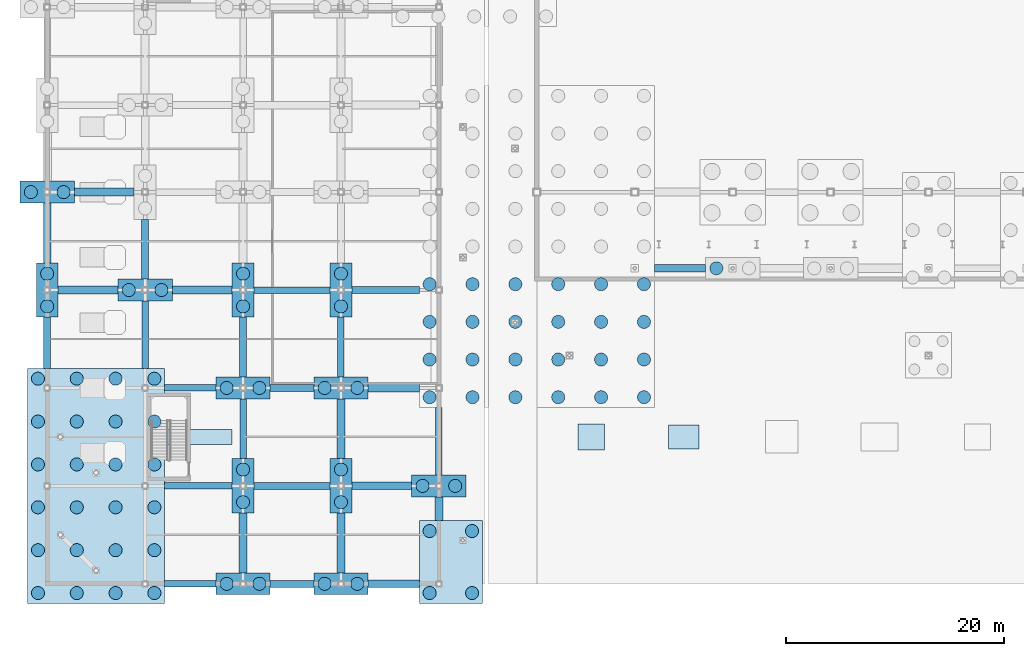
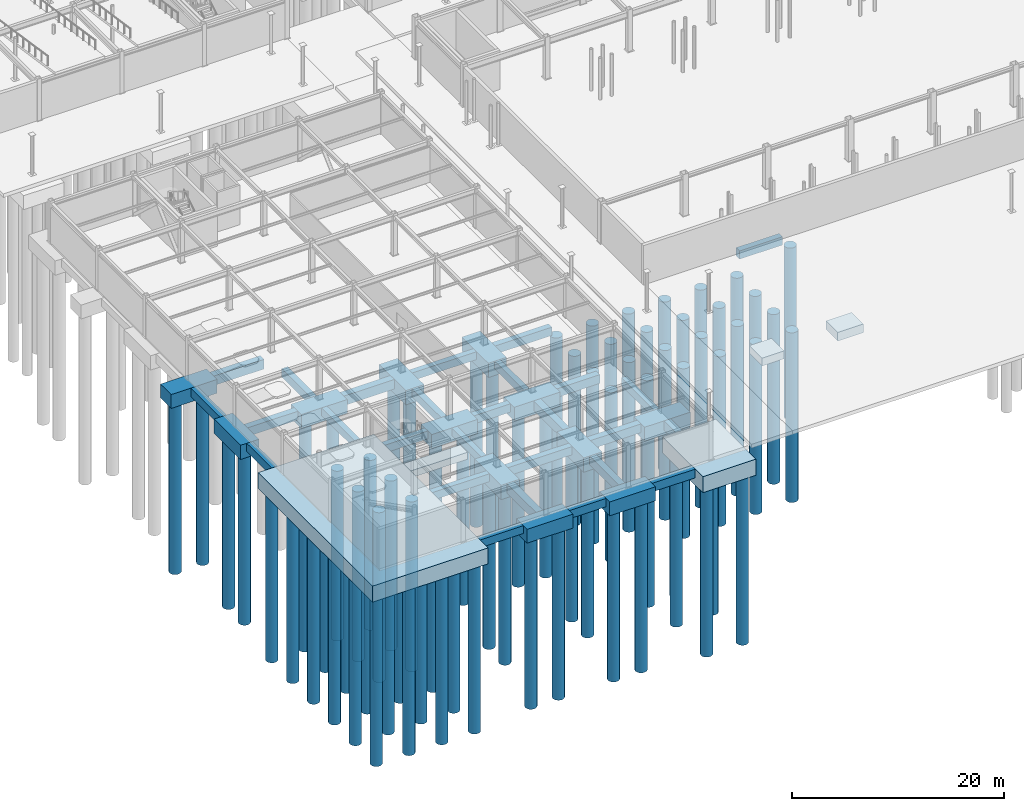
# One storey, part 1 of 74: 77 piles, 44 footings.
"""IFC4 building model written with IfcOpenShell, lengths in metres."""

from ifc_helpers import new_model, si_unit, direction, frame, origin, origin_2d, place, context, subcontext, project, spatial, polyline, rectangle, circle, outline, extrude, material, material_profile, profile_set, type_object, element, save


model = new_model("IFC4")

# Units and contexts
model_context = context("Model", 3, precision=1e-05, world=origin(), true_north=direction((0.0, 1.0)))
body_context = subcontext(model_context, "Body", "Model", "MODEL_VIEW")
ifc_project = project(units=[si_unit("LENGTHUNIT", "METRE"), si_unit("AREAUNIT", "SQUARE_METRE"), si_unit("VOLUMEUNIT", "CUBIC_METRE"), si_unit("PLANEANGLEUNIT", "RADIAN"), si_unit("MASSUNIT", "GRAM", prefix="KILO")], contexts=[model_context])

# Site, building, storey
site_placement = place(None, origin())
site = spatial("IfcSite", under=ifc_project, at=site_placement, CompositionType="ELEMENT")
building_placement = place(site_placement, origin())
building = spatial("IfcBuilding", under=site, at=building_placement, Name="Suzunagisa Mobility Hub", CompositionType="ELEMENT")
storey_placement = place(building_placement, frame((0.0, 0.0, -4.800048828125)))
storey = spatial("IfcBuildingStorey", under=building, at=storey_placement, Name="B1", CompositionType="ELEMENT", Elevation=-4.800048828125)

# Piles
ifc_material_1 = material(Name="Concrete C30/37", Category="concrete")
ifc_material_profile = material_profile(ifc_material_1, circle(Radius=0.60009765625, at=origin_2d()), Name="BORED PILE D1200")
ifc_profile_set = profile_set([ifc_material_profile], Name="Concrete C30/37")
pile_type = type_object("IfcPileType", Name="Bored Pile PL-01 D1200", PredefinedType="BORED", material=ifc_profile_set)
for number, where, z_axis, x_axis, name in (
    (1, (-0.85009765625, -0.85009765625, -2.119873046875), (0.0, 0.0, -1.0), (1.0, 0.0, 0.0), "Bored Pile 1.1"),
    (2, (-0.85009765625, 3.090087890625, -2.119873046875), (0.0, 0.0, -1.0), (1.0, 0.0, 0.0), "Bored Pile 1.2"),
    (3, (-0.85009765625, 7.030029296875, -2.119873046875), (0.0, 0.0, -1.0), (1.0, 0.0, 0.0), "Bored Pile 1.3"),
    (4, (-0.85009765625, 10.969970703125, -2.119873046875), (0.0, 0.0, -1.0), (1.0, 0.0, 0.0), "Bored Pile 1.4"),
    (5, (-0.85009765625, 14.909912109375, -2.119873046875), (0.0, 0.0, -1.0), (1.0, 0.0, 0.0), "Bored Pile 1.5"),
    (6, (-0.85009765625, 18.85009765625, -2.119873046875), (0.0, 0.0, -1.0), (1.0, 0.0, 0.0), "Bored Pile 1.6"),
    (7, (2.716796875, -0.85009765625, -2.119873046875), (0.0, 0.0, -1.0), (1.0, 0.0, 0.0), "Bored Pile 1.7"),
    (8, (2.716796875, 3.090087890625, -2.119873046875), (0.0, 0.0, -1.0), (1.0, 0.0, 0.0), "Bored Pile 1.8"),
    (9, (2.716796875, 7.030029296875, -2.119873046875), (0.0, 0.0, -1.0), (1.0, 0.0, 0.0), "Bored Pile 1.9"),
    (10, (2.716796875, 10.969970703125, -2.119873046875), (0.0, 0.0, -1.0), (1.0, 0.0, 0.0), "Bored Pile 1.10"),
    (11, (2.716796875, 14.909912109375, -2.119873046875), (0.0, 0.0, -1.0), (1.0, 0.0, 0.0), "Bored Pile 1.11"),
    (12, (2.716796875, 18.85009765625, -2.119873046875), (0.0, 0.0, -1.0), (1.0, 0.0, 0.0), "Bored Pile 1.12"),
    (13, (6.283203125, -0.85009765625, -2.119873046875), (0.0, 0.0, -1.0), (1.0, 0.0, 0.0), "Bored Pile 1.13"),
    (14, (6.283203125, 3.090087890625, -2.119873046875), (0.0, 0.0, -1.0), (1.0, 0.0, 0.0), "Bored Pile 1.14"),
    (15, (6.283203125, 7.030029296875, -2.119873046875), (0.0, 0.0, -1.0), (1.0, 0.0, 0.0), "Bored Pile 1.15"),
    (16, (6.283203125, 10.969970703125, -2.119873046875), (0.0, 0.0, -1.0), (1.0, 0.0, 0.0), "Bored Pile 1.16"),
    (17, (6.283203125, 14.909912109375, -2.119873046875), (0.0, 0.0, -1.0), (1.0, 0.0, 0.0), "Bored Pile 1.17"),
    (18, (6.283203125, 18.85009765625, -2.119873046875), (0.0, 0.0, -1.0), (1.0, 0.0, 0.0), "Bored Pile 1.18"),
    (19, (9.85009765625, -0.85009765625, -2.119873046875), (0.0, 0.0, -1.0), (1.0, 0.0, 0.0), "Bored Pile 1.19"),
    (20, (9.85009765625, 3.090087890625, -2.119873046875), (0.0, 0.0, -1.0), (1.0, 0.0, 0.0), "Bored Pile 1.20"),
    (21, (9.85009765625, 7.030029296875, -2.119873046875), (0.0, 0.0, -1.0), (1.0, 0.0, 0.0), "Bored Pile 1.21"),
    (22, (9.85009765625, 10.969970703125, -2.119873046875), (0.0, 0.0, -1.0), (1.0, 0.0, 0.0), "Bored Pile 1.22"),
    (23, (9.85009765625, 14.909912109375, -2.119873046875), (0.0, 0.0, -1.0), (1.0, 0.0, 0.0), "Bored Pile 1.23"),
    (24, (9.85009765625, 18.85009765625, -2.119873046875), (0.0, 0.0, -1.0), (1.0, 0.0, 0.0), "Bored Pile 1.24"),
):
    element("IfcPile", number, at=place(storey_placement, frame(where, z_axis=z_axis, x_axis=x_axis)), inside=storey, type_object=pile_type, Name=name, PredefinedType="BORED", context=body_context, shape_type="SweptSolid", body=[
        extrude(circle(Radius=0.60009765625, at=origin_2d()), origin(), (0.0, 0.0, 1.0), 19.580078125),
    ])
for number, where, z_axis, x_axis, name in (
    (25, (0.0, 25.5, -1.919921875), (0.0, 0.0, -1.0), (1.0, 0.0, 0.0), "Bored Pile 2.1"),
    (26, (0.0, 28.5, -1.919921875), (0.0, 0.0, -1.0), (1.0, 0.0, 0.0), "Bored Pile 2.2"),
):
    element("IfcPile", number, at=place(storey_placement, frame(where, z_axis=z_axis, x_axis=x_axis)), inside=storey, type_object=pile_type, Name=name, PredefinedType="BORED", context=body_context, shape_type="SweptSolid", body=[
        extrude(circle(Radius=0.60009765625, at=origin_2d()), origin(), (0.0, 0.0, 1.0), 19.780029296875),
    ])
for number, where, z_axis, x_axis, name in (
    (27, (-1.5, 36.0, -1.869873046875), (0.0, 0.0, -1.0), (1.0, 0.0, 0.0), "Bored Pile 3.1"),
    (28, (1.5, 36.0, -1.869873046875), (0.0, 0.0, -1.0), (1.0, 0.0, 0.0), "Bored Pile 3.2"),
    (29, (7.5, 27.0, -1.869873046875), (0.0, 0.0, -1.0), (1.0, 0.0, 0.0), "Bored Pile 11.1"),
    (30, (10.5, 27.0, -1.869873046875), (0.0, 0.0, -1.0), (1.0, 0.0, 0.0), "Bored Pile 11.2"),
    (31, (16.5, 0.0, -1.869873046875), (0.0, 0.0, -1.0), (1.0, 0.0, 0.0), "Bored Pile 17.1"),
    (32, (19.5, 0.0, -1.869873046875), (0.0, 0.0, -1.0), (1.0, 0.0, 0.0), "Bored Pile 17.2"),
):
    element("IfcPile", number, at=place(storey_placement, frame(where, z_axis=z_axis, x_axis=x_axis)), inside=storey, type_object=pile_type, Name=name, PredefinedType="BORED", context=body_context, shape_type="SweptSolid", body=[
        extrude(circle(Radius=0.60009765625, at=origin_2d()), origin(), (0.0, 0.0, 1.0), 19.830078125),
    ])
for number, where, z_axis, x_axis, name in (
    (33, (18.0, 7.5, -1.919921875), (0.0, 0.0, -1.0), (1.0, 0.0, 0.0), "Bored Pile 18.1"),
    (34, (18.0, 10.5, -1.919921875), (0.0, 0.0, -1.0), (1.0, 0.0, 0.0), "Bored Pile 18.2"),
):
    element("IfcPile", number, at=place(storey_placement, frame(where, z_axis=z_axis, x_axis=x_axis)), inside=storey, type_object=pile_type, Name=name, PredefinedType="BORED", context=body_context, shape_type="SweptSolid", body=[
        extrude(circle(Radius=0.60009765625, at=origin_2d()), origin(), (0.0, 0.0, 1.0), 19.780029296875),
    ])
for number, where, z_axis, x_axis, name in (
    (35, (16.5, 18.0, -1.869873046875), (0.0, 0.0, -1.0), (1.0, 0.0, 0.0), "Bored Pile 19.1"),
    (36, (19.5, 18.0, -1.869873046875), (0.0, 0.0, -1.0), (1.0, 0.0, 0.0), "Bored Pile 19.2"),
):
    element("IfcPile", number, at=place(storey_placement, frame(where, z_axis=z_axis, x_axis=x_axis)), inside=storey, type_object=pile_type, Name=name, PredefinedType="BORED", context=body_context, shape_type="SweptSolid", body=[
        extrude(circle(Radius=0.60009765625, at=origin_2d()), origin(), (0.0, 0.0, 1.0), 19.830078125),
    ])
for number, where, z_axis, x_axis, name in (
    (37, (18.0, 25.5, -1.919921875), (0.0, 0.0, -1.0), (1.0, 0.0, 0.0), "Bored Pile 20.1"),
    (38, (18.0, 28.5, -1.919921875), (0.0, 0.0, -1.0), (1.0, 0.0, 0.0), "Bored Pile 20.2"),
):
    element("IfcPile", number, at=place(storey_placement, frame(where, z_axis=z_axis, x_axis=x_axis)), inside=storey, type_object=pile_type, Name=name, PredefinedType="BORED", context=body_context, shape_type="SweptSolid", body=[
        extrude(circle(Radius=0.60009765625, at=origin_2d()), origin(), (0.0, 0.0, 1.0), 19.780029296875),
    ])
for number, where, z_axis, x_axis, name in (
    (39, (25.5, 0.0, -1.869873046875), (0.0, 0.0, -1.0), (1.0, 0.0, 0.0), "Bored Pile 27.1"),
    (40, (28.5, 0.0, -1.869873046875), (0.0, 0.0, -1.0), (1.0, 0.0, 0.0), "Bored Pile 27.2"),
):
    element("IfcPile", number, at=place(storey_placement, frame(where, z_axis=z_axis, x_axis=x_axis)), inside=storey, type_object=pile_type, Name=name, PredefinedType="BORED", context=body_context, shape_type="SweptSolid", body=[
        extrude(circle(Radius=0.60009765625, at=origin_2d()), origin(), (0.0, 0.0, 1.0), 19.830078125),
    ])
for number, where, z_axis, x_axis, name in (
    (41, (27.0, 7.5, -1.919921875), (0.0, 0.0, -1.0), (1.0, 0.0, 0.0), "Bored Pile 28.1"),
    (42, (27.0, 10.5, -1.919921875), (0.0, 0.0, -1.0), (1.0, 0.0, 0.0), "Bored Pile 28.2"),
):
    element("IfcPile", number, at=place(storey_placement, frame(where, z_axis=z_axis, x_axis=x_axis)), inside=storey, type_object=pile_type, Name=name, PredefinedType="BORED", context=body_context, shape_type="SweptSolid", body=[
        extrude(circle(Radius=0.60009765625, at=origin_2d()), origin(), (0.0, 0.0, 1.0), 19.780029296875),
    ])
for number, where, z_axis, x_axis, name in (
    (43, (25.5, 18.0, -1.869873046875), (0.0, 0.0, -1.0), (1.0, 0.0, 0.0), "Bored Pile 29.1"),
    (44, (28.5, 18.0, -1.869873046875), (0.0, 0.0, -1.0), (1.0, 0.0, 0.0), "Bored Pile 29.2"),
):
    element("IfcPile", number, at=place(storey_placement, frame(where, z_axis=z_axis, x_axis=x_axis)), inside=storey, type_object=pile_type, Name=name, PredefinedType="BORED", context=body_context, shape_type="SweptSolid", body=[
        extrude(circle(Radius=0.60009765625, at=origin_2d()), origin(), (0.0, 0.0, 1.0), 19.830078125),
    ])
for number, where, z_axis, x_axis, name in (
    (45, (27.0, 25.5, -1.919921875), (0.0, 0.0, -1.0), (1.0, 0.0, 0.0), "Bored Pile 30.1"),
    (46, (27.0, 28.5, -1.919921875), (0.0, 0.0, -1.0), (1.0, 0.0, 0.0), "Bored Pile 30.2"),
):
    element("IfcPile", number, at=place(storey_placement, frame(where, z_axis=z_axis, x_axis=x_axis)), inside=storey, type_object=pile_type, Name=name, PredefinedType="BORED", context=body_context, shape_type="SweptSolid", body=[
        extrude(circle(Radius=0.60009765625, at=origin_2d()), origin(), (0.0, 0.0, 1.0), 19.780029296875),
    ])
for number, where, z_axis, x_axis, name in (
    (47, (35.14990234375, -0.85009765625, -2.119873046875), (0.0, 0.0, -1.0), (1.0, 0.0, 0.0), "Bored Pile 36.1"),
    (48, (35.14990234375, 4.85009765625, -2.119873046875), (0.0, 0.0, -1.0), (1.0, 0.0, 0.0), "Bored Pile 36.2"),
    (49, (39.050048828125, -0.85009765625, -2.119873046875), (0.0, 0.0, -1.0), (1.0, 0.0, 0.0), "Bored Pile 36.3"),
    (50, (39.050048828125, 4.85009765625, -2.119873046875), (0.0, 0.0, -1.0), (1.0, 0.0, 0.0), "Bored Pile 36.4"),
):
    element("IfcPile", number, at=place(storey_placement, frame(where, z_axis=z_axis, x_axis=x_axis)), inside=storey, type_object=pile_type, Name=name, PredefinedType="BORED", context=body_context, shape_type="SweptSolid", body=[
        extrude(circle(Radius=0.60009765625, at=origin_2d()), origin(), (0.0, 0.0, 1.0), 19.580078125),
    ])
for number, where, z_axis, x_axis, name in (
    (51, (34.5, 9.0, -1.869873046875), (0.0, 0.0, -1.0), (1.0, 0.0, 0.0), "Bored Pile 37.1"),
    (52, (37.5, 9.0, -1.869873046875), (0.0, 0.0, -1.0), (1.0, 0.0, 0.0), "Bored Pile 37.2"),
):
    element("IfcPile", number, at=place(storey_placement, frame(where, z_axis=z_axis, x_axis=x_axis)), inside=storey, type_object=pile_type, Name=name, PredefinedType="BORED", context=body_context, shape_type="SweptSolid", body=[
        extrude(circle(Radius=0.60009765625, at=origin_2d()), origin(), (0.0, 0.0, 1.0), 19.830078125),
    ])
for number, where, z_axis, x_axis, name in (
    (53, (35.14990234375, 17.14990234375, -2.14990234375), (0.0, 0.0, -1.0), (1.0, 0.0, 0.0), "Bored Pile 38.1"),
    (54, (35.14990234375, 20.612548828125, -2.14990234375), (0.0, 0.0, -1.0), (1.0, 0.0, 0.0), "Bored Pile 38.2"),
    (55, (35.14990234375, 24.074951171875, -2.14990234375), (0.0, 0.0, -1.0), (1.0, 0.0, 0.0), "Bored Pile 38.3"),
    (56, (35.14990234375, 27.53759765625, -2.14990234375), (0.0, 0.0, -1.0), (1.0, 0.0, 0.0), "Bored Pile 38.4"),
    (57, (39.090087890625, 17.14990234375, -2.14990234375), (0.0, 0.0, -1.0), (1.0, 0.0, 0.0), "Bored Pile 38.10"),
    (58, (39.090087890625, 20.612548828125, -2.14990234375), (0.0, 0.0, -1.0), (1.0, 0.0, 0.0), "Bored Pile 38.11"),
    (59, (39.090087890625, 24.074951171875, -2.14990234375), (0.0, 0.0, -1.0), (1.0, 0.0, 0.0), "Bored Pile 38.12"),
    (60, (39.090087890625, 27.53759765625, -2.14990234375), (0.0, 0.0, -1.0), (1.0, 0.0, 0.0), "Bored Pile 38.13"),
    (61, (43.030029296875, 17.14990234375, -2.14990234375), (0.0, 0.0, -1.0), (1.0, 0.0, 0.0), "Bored Pile 38.19"),
    (62, (43.030029296875, 20.612548828125, -2.14990234375), (0.0, 0.0, -1.0), (1.0, 0.0, 0.0), "Bored Pile 38.20"),
    (63, (43.030029296875, 24.074951171875, -2.14990234375), (0.0, 0.0, -1.0), (1.0, 0.0, 0.0), "Bored Pile 38.21"),
    (64, (43.030029296875, 27.53759765625, -2.14990234375), (0.0, 0.0, -1.0), (1.0, 0.0, 0.0), "Bored Pile 38.22"),
    (65, (46.969970703125, 17.14990234375, -2.14990234375), (0.0, 0.0, -1.0), (1.0, 0.0, 0.0), "Bored Pile 38.28"),
    (66, (46.969970703125, 20.612548828125, -2.14990234375), (0.0, 0.0, -1.0), (1.0, 0.0, 0.0), "Bored Pile 38.29"),
    (67, (46.969970703125, 24.074951171875, -2.14990234375), (0.0, 0.0, -1.0), (1.0, 0.0, 0.0), "Bored Pile 38.30"),
    (68, (46.969970703125, 27.53759765625, -2.14990234375), (0.0, 0.0, -1.0), (1.0, 0.0, 0.0), "Bored Pile 38.31"),
    (69, (50.909912109375, 17.14990234375, -2.14990234375), (0.0, 0.0, -1.0), (1.0, 0.0, 0.0), "Bored Pile 38.37"),
    (70, (50.909912109375, 20.612548828125, -2.14990234375), (0.0, 0.0, -1.0), (1.0, 0.0, 0.0), "Bored Pile 38.38"),
    (71, (50.909912109375, 24.074951171875, -2.14990234375), (0.0, 0.0, -1.0), (1.0, 0.0, 0.0), "Bored Pile 38.39"),
    (72, (50.909912109375, 27.53759765625, -2.14990234375), (0.0, 0.0, -1.0), (1.0, 0.0, 0.0), "Bored Pile 38.40"),
    (73, (54.85009765625, 17.14990234375, -2.14990234375), (0.0, 0.0, -1.0), (1.0, 0.0, 0.0), "Bored Pile 38.46"),
    (74, (54.85009765625, 20.612548828125, -2.14990234375), (0.0, 0.0, -1.0), (1.0, 0.0, 0.0), "Bored Pile 38.47"),
    (75, (54.85009765625, 24.074951171875, -2.14990234375), (0.0, 0.0, -1.0), (1.0, 0.0, 0.0), "Bored Pile 38.48"),
    (76, (54.85009765625, 27.53759765625, -2.14990234375), (0.0, 0.0, -1.0), (1.0, 0.0, 0.0), "Bored Pile 38.49"),
):
    element("IfcPile", number, at=place(storey_placement, frame(where, z_axis=z_axis, x_axis=x_axis)), inside=storey, type_object=pile_type, Name=name, PredefinedType="BORED", context=body_context, shape_type="SweptSolid", body=[
        extrude(circle(Radius=0.60009765625, at=origin_2d()), origin(), (0.0, 0.0, 1.0), 19.550048828125),
    ])
pile_placement = place(storey_placement, frame((61.5, 29.0, -1.89990234375), z_axis=(0.0, 0.0, -1.0), x_axis=(1.0, 0.0, 0.0)))
element("IfcPile", 77, at=pile_placement, inside=storey, type_object=pile_type, Name="Bored Pile 49.1", PredefinedType="BORED", context=body_context, shape_type="SweptSolid", body=[
    extrude(circle(Radius=0.60009765625, at=origin_2d()), origin(), (0.0, 0.0, 1.0), 19.800048828125),
])

# Footings
ifc_material_2 = material(Name="Concrete C35/45", Category="concrete")
footing_type_1 = type_object("IfcFootingType", Name="Combined Prow Pile Cap FR-01 12600x21600x1850", PredefinedType="PILE_CAP", material=ifc_material_2)
footing_1_placement = place(storey_placement, frame((4.5, 9.0, -2.27001953125), z_axis=(0.0, 0.0, 1.0), x_axis=(1.0, 0.0, 0.0)))
element("IfcFooting", 78, at=footing_1_placement, inside=storey, type_object=footing_type_1, Name="Combined Prow Pile Cap 1", PredefinedType="PILE_CAP", context=body_context, shape_type="SweptSolid", body=[
    extrude(rectangle(XDim=12.60009765625, YDim=21.60009765625, at=origin_2d()), origin(), (0.0, 0.0, 1.0), 1.85009765625),
])
footing_type_2 = type_object("IfcFootingType", Name="Combined Prow Pile Cap FR-07 5800x7600x1850", PredefinedType="PILE_CAP", material=ifc_material_2)
footing_2_placement = place(storey_placement, frame((37.10009765625, 2.0, -2.27001953125), z_axis=(0.0, 0.0, 1.0), x_axis=(1.0, 0.0, 0.0)))
element("IfcFooting", 79, at=footing_2_placement, inside=storey, type_object=footing_type_2, Name="Combined Prow Pile Cap 36", PredefinedType="PILE_CAP", context=body_context, shape_type="SweptSolid", body=[
    extrude(rectangle(XDim=5.800048828125, YDim=7.60009765625, at=origin_2d()), origin(), (0.0, 0.0, 1.0), 1.85009765625),
])
footing_type_3 = type_object("IfcFootingType", Name="Ground Tie Beam FT-03 750x1100", PredefinedType="FOOTING_BEAM", material=ifc_material_2)
footing_3_placement = place(storey_placement, frame((0.0, 0.0, -1.52001953125)))
element("IfcFooting", 80, at=footing_3_placement, inside=storey, type_object=footing_type_3, Name="Foundation Tie Beam TBX-24", PredefinedType="FOOTING_BEAM", context=body_context, shape_type="SweptSolid", body=[
    extrude(outline(polyline([(11.5, 26.625), (17.0, 26.625), (17.0, 27.375), (11.5, 27.375), (11.5, 26.625)])), origin(), (0.0, 0.0, 1.0), 1.10009765625),
])
footing_4_placement = place(storey_placement, frame((0.0, 0.0, -1.52001953125)))
element("IfcFooting", 81, at=footing_4_placement, inside=storey, type_object=footing_type_3, Name="Foundation Tie Beam TBX-36", PredefinedType="FOOTING_BEAM", context=body_context, shape_type="SweptSolid", body=[
    extrude(outline(polyline([(2.5, 35.625), (8.0, 35.625), (8.0, 36.375), (2.5, 36.375), (2.5, 35.625)])), origin(), (0.0, 0.0, 1.0), 1.10009765625),
])
footing_5_placement = place(storey_placement, frame((0.0, 0.0, -1.52001953125)))
element("IfcFooting", 82, at=footing_5_placement, inside=storey, type_object=footing_type_3, Name="Foundation Tie Beam TBY-160", PredefinedType="FOOTING_BEAM", context=body_context, shape_type="SweptSolid", body=[
    extrude(outline(polyline([(17.625, 1.0), (18.375, 1.0), (18.375, 6.5), (17.625, 6.5), (17.625, 1.0)])), origin(), (0.0, 0.0, 1.0), 1.10009765625),
])
footing_6_placement = place(storey_placement, frame((0.0, 0.0, -1.52001953125)))
element("IfcFooting", 83, at=footing_6_placement, inside=storey, type_object=footing_type_3, Name="Foundation Tie Beam TBY-168", PredefinedType="FOOTING_BEAM", context=body_context, shape_type="SweptSolid", body=[
    extrude(outline(polyline([(26.625, 11.5), (27.375, 11.5), (27.375, 17.0), (26.625, 17.0), (26.625, 11.5)])), origin(), (0.0, 0.0, 1.0), 1.10009765625),
])
footing_7_placement = place(storey_placement, frame((0.0, 0.0, -1.52001953125)))
element("IfcFooting", 84, at=footing_7_placement, inside=storey, type_object=footing_type_3, Name="Foundation Tie Beam TBY-176", PredefinedType="FOOTING_BEAM", context=body_context, shape_type="SweptSolid", body=[
    extrude(outline(polyline([(35.625, 5.800048828125), (36.375, 5.800048828125), (36.375, 8.0), (35.625, 8.0), (35.625, 5.800048828125)])), origin(), (0.0, 0.0, 1.0), 1.10009765625),
])
footing_type_4 = type_object("IfcFootingType", Name="Ground Tie Beam FT-05 600x900", PredefinedType="FOOTING_BEAM", material=ifc_material_2)
footing_8_placement = place(storey_placement, frame((0.0, 0.0, -1.320068359375)))
element("IfcFooting", 85, at=footing_8_placement, inside=storey, type_object=footing_type_4, Name="Foundation Tie Beam TBX-1", PredefinedType="FOOTING_BEAM", context=body_context, shape_type="SweptSolid", body=[
    extrude(outline(polyline([(10.800048828125, -0.300048828125), (15.5, -0.300048828125), (15.5, 0.300048828125), (10.800048828125, 0.300048828125), (10.800048828125, -0.300048828125)])), origin(), (0.0, 0.0, 1.0), 0.900146484375),
])
footing_9_placement = place(storey_placement, frame((0.0, 0.0, -1.320068359375)))
element("IfcFooting", 86, at=footing_9_placement, inside=storey, type_object=footing_type_4, Name="Foundation Tie Beam TBX-9", PredefinedType="FOOTING_BEAM", context=body_context, shape_type="SweptSolid", body=[
    extrude(outline(polyline([(10.800048828125, 8.699951171875), (17.0, 8.699951171875), (17.0, 9.300048828125), (10.800048828125, 9.300048828125), (10.800048828125, 8.699951171875)])), origin(), (0.0, 0.0, 1.0), 0.900146484375),
])
footing_10_placement = place(storey_placement, frame((0.0, 0.0, -1.320068359375)))
element("IfcFooting", 87, at=footing_10_placement, inside=storey, type_object=footing_type_4, Name="Foundation Tie Beam TBX-17", PredefinedType="FOOTING_BEAM", context=body_context, shape_type="SweptSolid", body=[
    extrude(outline(polyline([(10.800048828125, 17.699951171875), (15.5, 17.699951171875), (15.5, 18.300048828125), (10.800048828125, 18.300048828125), (10.800048828125, 17.699951171875)])), origin(), (0.0, 0.0, 1.0), 0.900146484375),
])
footing_11_placement = place(storey_placement, frame((0.0, 0.0, -1.320068359375)))
element("IfcFooting", 88, at=footing_11_placement, inside=storey, type_object=footing_type_4, Name="Foundation Tie Beam TBX-25", PredefinedType="FOOTING_BEAM", context=body_context, shape_type="SweptSolid", body=[
    extrude(outline(polyline([(19.0, 26.699951171875), (26.0, 26.699951171875), (26.0, 27.300048828125), (19.0, 27.300048828125), (19.0, 26.699951171875)])), origin(), (0.0, 0.0, 1.0), 0.900146484375),
])
footing_12_placement = place(storey_placement, frame((0.0, 0.0, -1.320068359375)))
element("IfcFooting", 89, at=footing_12_placement, inside=storey, type_object=footing_type_4, Name="Foundation Tie Beam TBY-153", PredefinedType="FOOTING_BEAM", context=body_context, shape_type="SweptSolid", body=[
    extrude(outline(polyline([(8.699951171875, 19.800048828125), (9.300048828125, 19.800048828125), (9.300048828125, 26.0), (8.699951171875, 26.0), (8.699951171875, 19.800048828125)])), origin(), (0.0, 0.0, 1.0), 0.900146484375),
])
footing_13_placement = place(storey_placement, frame((0.0, 0.0, -1.320068359375)))
element("IfcFooting", 90, at=footing_13_placement, inside=storey, type_object=footing_type_4, Name="Foundation Tie Beam TBY-161", PredefinedType="FOOTING_BEAM", context=body_context, shape_type="SweptSolid", body=[
    extrude(outline(polyline([(17.699951171875, 11.5), (18.300048828125, 11.5), (18.300048828125, 17.0), (17.699951171875, 17.0), (17.699951171875, 11.5)])), origin(), (0.0, 0.0, 1.0), 0.900146484375),
])
footing_14_placement = place(storey_placement, frame((0.0, 0.0, -1.320068359375)))
element("IfcFooting", 91, at=footing_14_placement, inside=storey, type_object=footing_type_4, Name="Foundation Tie Beam TBY-169", PredefinedType="FOOTING_BEAM", context=body_context, shape_type="SweptSolid", body=[
    extrude(outline(polyline([(26.699951171875, 19.0), (27.300048828125, 19.0), (27.300048828125, 24.5), (26.699951171875, 24.5), (26.699951171875, 19.0)])), origin(), (0.0, 0.0, 1.0), 0.900146484375),
])
footing_15_placement = place(storey_placement, frame((0.0, 0.0, -1.349853515625)))
element("IfcFooting", 92, at=footing_15_placement, inside=storey, type_object=footing_type_4, Name="Foundation Tie Beam TBY-177", PredefinedType="FOOTING_BEAM", context=body_context, shape_type="SweptSolid", body=[
    extrude(outline(polyline([(35.699951171875, 10.0), (36.300048828125, 10.0), (36.300048828125, 16.199951171875), (35.699951171875, 16.199951171875), (35.699951171875, 10.0)])), origin(), (0.0, 0.0, 1.0), 0.89990234375),
])
footing_type_5 = type_object("IfcFootingType", Name="Ground Tie Beam FT-07 650x950", PredefinedType="FOOTING_BEAM", material=ifc_material_2)
footing_16_placement = place(storey_placement, frame((0.0, 0.0, -1.369873046875)))
element("IfcFooting", 93, at=footing_16_placement, inside=storey, type_object=footing_type_5, Name="Foundation Tie Beam TBX-2", PredefinedType="FOOTING_BEAM", context=body_context, shape_type="SweptSolid", body=[
    extrude(outline(polyline([(20.5, -0.324951171875), (24.5, -0.324951171875), (24.5, 0.324951171875), (20.5, 0.324951171875), (20.5, -0.324951171875)])), origin(), (0.0, 0.0, 1.0), 0.949951171875),
])
footing_17_placement = place(storey_placement, frame((0.0, 0.0, -1.369873046875)))
element("IfcFooting", 94, at=footing_17_placement, inside=storey, type_object=footing_type_5, Name="Foundation Tie Beam TBX-10", PredefinedType="FOOTING_BEAM", context=body_context, shape_type="SweptSolid", body=[
    extrude(outline(polyline([(19.0, 8.675048828125), (26.0, 8.675048828125), (26.0, 9.324951171875), (19.0, 9.324951171875), (19.0, 8.675048828125)])), origin(), (0.0, 0.0, 1.0), 0.949951171875),
])
footing_18_placement = place(storey_placement, frame((0.0, 0.0, -1.369873046875)))
element("IfcFooting", 95, at=footing_18_placement, inside=storey, type_object=footing_type_5, Name="Foundation Tie Beam TBX-18", PredefinedType="FOOTING_BEAM", context=body_context, shape_type="SweptSolid", body=[
    extrude(outline(polyline([(20.5, 17.675048828125), (24.5, 17.675048828125), (24.5, 18.324951171875), (20.5, 18.324951171875), (20.5, 17.675048828125)])), origin(), (0.0, 0.0, 1.0), 0.949951171875),
])
footing_19_placement = place(storey_placement, frame((0.0, 0.0, -1.39990234375)))
element("IfcFooting", 96, at=footing_19_placement, inside=storey, type_object=footing_type_5, Name="Foundation Tie Beam TBX-26", PredefinedType="FOOTING_BEAM", context=body_context, shape_type="SweptSolid", body=[
    extrude(outline(polyline([(28.0, 26.675048828125), (34.199951171875, 26.675048828125), (34.199951171875, 27.324951171875), (28.0, 27.324951171875), (28.0, 26.675048828125)])), origin(), (0.0, 0.0, 1.0), 0.949951171875),
])
footing_20_placement = place(storey_placement, frame((0.0, 0.0, -1.39990234375)))
element("IfcFooting", 97, at=footing_20_placement, inside=storey, type_object=footing_type_5, Name="Foundation Tie Beam TBX-30", PredefinedType="FOOTING_BEAM", context=body_context, shape_type="SweptSolid", body=[
    extrude(outline(polyline([(55.800048828125, 28.675048828125), (60.5, 28.675048828125), (60.5, 29.324951171875), (55.800048828125, 29.324951171875), (55.800048828125, 28.675048828125)])), origin(), (0.0, 0.0, 1.0), 0.949951171875),
])
footing_21_placement = place(storey_placement, frame((0.0, 0.0, -1.369873046875)))
element("IfcFooting", 98, at=footing_21_placement, inside=storey, type_object=footing_type_5, Name="Foundation Tie Beam TBY-146", PredefinedType="FOOTING_BEAM", context=body_context, shape_type="SweptSolid", body=[
    extrude(outline(polyline([(-0.324951171875, 19.800048828125), (0.324951171875, 19.800048828125), (0.324951171875, 24.5), (-0.324951171875, 24.5), (-0.324951171875, 19.800048828125)])), origin(), (0.0, 0.0, 1.0), 0.949951171875),
])
footing_22_placement = place(storey_placement, frame((0.0, 0.0, -1.369873046875)))
element("IfcFooting", 99, at=footing_22_placement, inside=storey, type_object=footing_type_5, Name="Foundation Tie Beam TBY-154", PredefinedType="FOOTING_BEAM", context=body_context, shape_type="SweptSolid", body=[
    extrude(outline(polyline([(8.675048828125, 28.0), (9.324951171875, 28.0), (9.324951171875, 33.5), (8.675048828125, 33.5), (8.675048828125, 28.0)])), origin(), (0.0, 0.0, 1.0), 0.949951171875),
])
footing_23_placement = place(storey_placement, frame((0.0, 0.0, -1.369873046875)))
element("IfcFooting", 100, at=footing_23_placement, inside=storey, type_object=footing_type_5, Name="Foundation Tie Beam TBY-162", PredefinedType="FOOTING_BEAM", context=body_context, shape_type="SweptSolid", body=[
    extrude(outline(polyline([(17.675048828125, 19.0), (18.324951171875, 19.0), (18.324951171875, 24.5), (17.675048828125, 24.5), (17.675048828125, 19.0)])), origin(), (0.0, 0.0, 1.0), 0.949951171875),
])
footing_type_6 = type_object("IfcFootingType", Name="Ground Tie Beam FT-23 700x1000", PredefinedType="FOOTING_BEAM", material=ifc_material_2)
footing_24_placement = place(storey_placement, frame((0.0, 0.0, -1.419921875)))
element("IfcFooting", 101, at=footing_24_placement, inside=storey, type_object=footing_type_6, Name="Foundation Tie Beam TBX-3", PredefinedType="FOOTING_BEAM", context=body_context, shape_type="SweptSolid", body=[
    extrude(outline(polyline([(29.5, -0.35009765625), (34.199951171875, -0.35009765625), (34.199951171875, 0.35009765625), (29.5, 0.35009765625), (29.5, -0.35009765625)])), origin(), (0.0, 0.0, 1.0), 1.0),
])
footing_25_placement = place(storey_placement, frame((0.0, 0.0, -1.419921875)))
element("IfcFooting", 102, at=footing_25_placement, inside=storey, type_object=footing_type_6, Name="Foundation Tie Beam TBX-11", PredefinedType="FOOTING_BEAM", context=body_context, shape_type="SweptSolid", body=[
    extrude(outline(polyline([(28.0, 8.64990234375), (33.5, 8.64990234375), (33.5, 9.35009765625), (28.0, 9.35009765625), (28.0, 8.64990234375)])), origin(), (0.0, 0.0, 1.0), 1.0),
])
footing_26_placement = place(storey_placement, frame((0.0, 0.0, -1.449951171875)))
element("IfcFooting", 103, at=footing_26_placement, inside=storey, type_object=footing_type_6, Name="Foundation Tie Beam TBX-19", PredefinedType="FOOTING_BEAM", context=body_context, shape_type="SweptSolid", body=[
    extrude(outline(polyline([(29.5, 17.64990234375), (34.199951171875, 17.64990234375), (34.199951171875, 18.35009765625), (29.5, 18.35009765625), (29.5, 17.64990234375)])), origin(), (0.0, 0.0, 1.0), 1.0),
])
footing_27_placement = place(storey_placement, frame((0.0, 0.0, -1.419921875)))
element("IfcFooting", 104, at=footing_27_placement, inside=storey, type_object=footing_type_6, Name="Foundation Tie Beam TBX-23", PredefinedType="FOOTING_BEAM", context=body_context, shape_type="SweptSolid", body=[
    extrude(outline(polyline([(1.0, 26.64990234375), (6.5, 26.64990234375), (6.5, 27.35009765625), (1.0, 27.35009765625), (1.0, 26.64990234375)])), origin(), (0.0, 0.0, 1.0), 1.0),
])
footing_28_placement = place(storey_placement, frame((0.0, 0.0, -1.419921875)))
element("IfcFooting", 105, at=footing_28_placement, inside=storey, type_object=footing_type_6, Name="Foundation Tie Beam TBY-147", PredefinedType="FOOTING_BEAM", context=body_context, shape_type="SweptSolid", body=[
    extrude(outline(polyline([(-0.35009765625, 29.5), (0.35009765625, 29.5), (0.35009765625, 35.0), (-0.35009765625, 35.0), (-0.35009765625, 29.5)])), origin(), (0.0, 0.0, 1.0), 1.0),
])
footing_29_placement = place(storey_placement, frame((0.0, 0.0, -1.419921875)))
element("IfcFooting", 106, at=footing_29_placement, inside=storey, type_object=footing_type_6, Name="Foundation Tie Beam TBY-167", PredefinedType="FOOTING_BEAM", context=body_context, shape_type="SweptSolid", body=[
    extrude(outline(polyline([(26.64990234375, 1.0), (27.35009765625, 1.0), (27.35009765625, 6.5), (26.64990234375, 6.5), (26.64990234375, 1.0)])), origin(), (0.0, 0.0, 1.0), 1.0),
])
footing_type_7 = type_object("IfcFootingType", Name="Pad Footing FT-20 2800x2200x1000", PredefinedType="PAD_FOOTING", material=ifc_material_2)
footing_30_placement = place(storey_placement, frame((58.5, 13.5, -1.419921875), z_axis=(0.0, 0.0, 1.0), x_axis=(1.0, 0.0, 0.0)))
element("IfcFooting", 107, at=footing_30_placement, inside=storey, type_object=footing_type_7, Name="Forecourt Mat Pad Footing PF-2", PredefinedType="PAD_FOOTING", context=body_context, shape_type="SweptSolid", body=[
    extrude(rectangle(XDim=2.800048828125, YDim=2.199951171875, at=origin_2d()), origin(), (0.0, 0.0, 1.0), 1.0),
])
footing_type_8 = type_object("IfcFootingType", Name="Pad Footing FT-24 2400x2400x900", PredefinedType="PAD_FOOTING", material=ifc_material_2)
footing_31_placement = place(storey_placement, frame((50.0, 13.5, -1.31982421875), z_axis=(0.0, 0.0, 1.0), x_axis=(1.0, 0.0, 0.0)))
element("IfcFooting", 108, at=footing_31_placement, inside=storey, type_object=footing_type_8, Name="Forecourt Mat Pad Footing PF-1", PredefinedType="PAD_FOOTING", context=body_context, shape_type="SweptSolid", body=[
    extrude(rectangle(XDim=2.39990234375, YDim=2.39990234375, at=origin_2d()), origin(), (0.0, 0.0, 1.0), 0.89990234375),
])
footing_type_9 = type_object("IfcFootingType", Name="Pile Cap FT-06 5000x2000x1600", PredefinedType="PILE_CAP", material=ifc_material_2)
for number, where, z_axis, x_axis, name in (
    (109, (0.0, 36.0, -2.02001953125), (0.0, 0.0, 1.0), (1.0, 0.0, 0.0), "Pile Cap 3"),
    (110, (9.0, 27.0, -2.02001953125), (0.0, 0.0, 1.0), (1.0, 0.0, 0.0), "Pile Cap 11"),
    (111, (18.0, 0.0, -2.02001953125), (0.0, 0.0, 1.0), (1.0, 0.0, 0.0), "Pile Cap 17"),
    (112, (18.0, 18.0, -2.02001953125), (0.0, 0.0, 1.0), (1.0, 0.0, 0.0), "Pile Cap 19"),
    (113, (27.0, 0.0, -2.02001953125), (0.0, 0.0, 1.0), (1.0, 0.0, 0.0), "Pile Cap 27"),
    (114, (27.0, 18.0, -2.02001953125), (0.0, 0.0, 1.0), (1.0, 0.0, 0.0), "Pile Cap 29"),
    (115, (36.0, 9.0, -2.02001953125), (0.0, 0.0, 1.0), (1.0, 0.0, 0.0), "Pile Cap 37"),
):
    element("IfcFooting", number, at=place(storey_placement, frame(where, z_axis=z_axis, x_axis=x_axis)), inside=storey, type_object=footing_type_9, Name=name, PredefinedType="PILE_CAP", context=body_context, shape_type="SweptSolid", body=[
        extrude(rectangle(XDim=5.0, YDim=2.0, at=origin_2d()), origin(), (0.0, 0.0, 1.0), 1.60009765625),
    ])
footing_type_10 = type_object("IfcFootingType", Name="Pile Cap FT-12 2000x5000x1650", PredefinedType="PILE_CAP", material=ifc_material_2)
for number, where, z_axis, x_axis, name in (
    (116, (0.0, 27.0, -2.06982421875), (0.0, 0.0, 1.0), (1.0, 0.0, 0.0), "Pile Cap 2"),
    (117, (18.0, 9.0, -2.06982421875), (0.0, 0.0, 1.0), (1.0, 0.0, 0.0), "Pile Cap 18"),
    (118, (18.0, 27.0, -2.06982421875), (0.0, 0.0, 1.0), (1.0, 0.0, 0.0), "Pile Cap 20"),
    (119, (27.0, 9.0, -2.06982421875), (0.0, 0.0, 1.0), (1.0, 0.0, 0.0), "Pile Cap 28"),
    (120, (27.0, 27.0, -2.06982421875), (0.0, 0.0, 1.0), (1.0, 0.0, 0.0), "Pile Cap 30"),
):
    element("IfcFooting", number, at=place(storey_placement, frame(where, z_axis=z_axis, x_axis=x_axis)), inside=storey, type_object=footing_type_10, Name=name, PredefinedType="PILE_CAP", context=body_context, shape_type="SweptSolid", body=[
        extrude(rectangle(XDim=2.0, YDim=5.0, at=origin_2d()), origin(), (0.0, 0.0, 1.0), 1.64990234375),
    ])
footing_type_11 = type_object("IfcFootingType", Name="Strip Footing FT-04 1400x800", PredefinedType="STRIP_FOOTING", material=ifc_material_2)
footing_32_placement = place(storey_placement, frame((0.0, 0.0, -1.219970703125)))
element("IfcFooting", 121, at=footing_32_placement, inside=storey, type_object=footing_type_11, Name="Core Strip Footing SF-2", PredefinedType="STRIP_FOOTING", context=body_context, shape_type="SweptSolid", body=[
    extrude(outline(polyline([(10.800048828125, 12.800048828125), (17.0, 12.800048828125), (17.0, 14.199951171875), (10.800048828125, 14.199951171875), (10.800048828125, 12.800048828125)])), origin(), (0.0, 0.0, 1.0), 0.800048828125),
])

save(model, "model.ifc")
